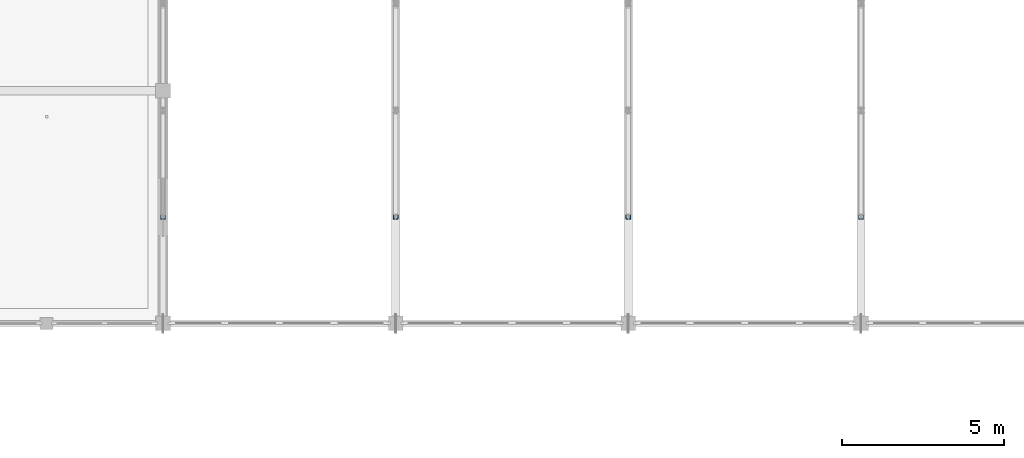
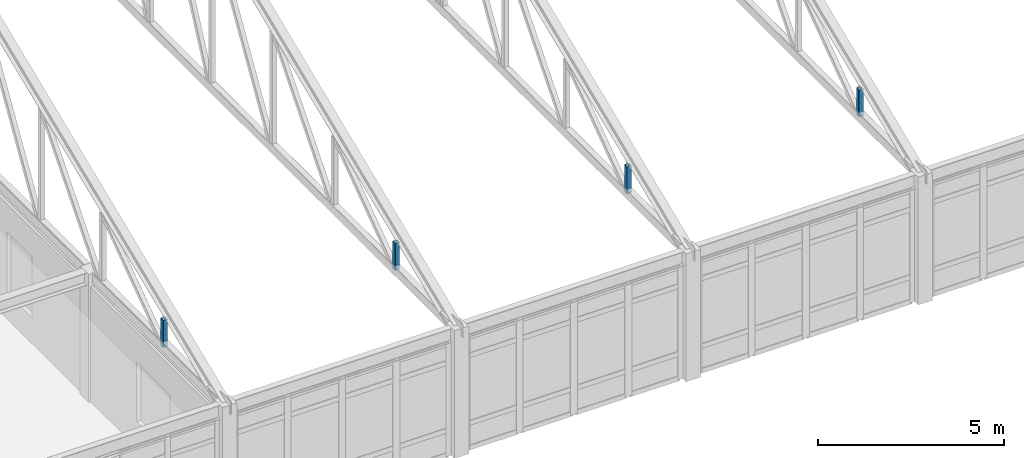
# One storey, part 68 of 136: 4 members.
"""IFC4 building model written with IfcOpenShell, lengths in metres."""

from ifc_helpers import new_model, si_unit, direction, frame, origin, origin_2d, place, context, subcontext, project, spatial, hollow_rectangle, extrude, material, material_profile, profile_set, type_object, element, save


model = new_model("IFC4")

# Units and contexts
model_context = context("Model", 3, precision=1e-05, world=origin(), true_north=direction((0.0, 1.0)))
body_context = subcontext(model_context, "Body", "Model", "MODEL_VIEW")
ifc_project = project(units=[si_unit("LENGTHUNIT", "METRE"), si_unit("AREAUNIT", "SQUARE_METRE"), si_unit("VOLUMEUNIT", "CUBIC_METRE"), si_unit("PLANEANGLEUNIT", "RADIAN"), si_unit("MASSUNIT", "GRAM", prefix="KILO")], contexts=[model_context])

# Site, building, storey
site_placement = place(None, origin())
site = spatial("IfcSite", under=ifc_project, at=site_placement, CompositionType="ELEMENT")
building_placement = place(site_placement, origin())
building = spatial("IfcBuilding", under=site, at=building_placement, Name="Koriwan Promenade Central Fire Station", CompositionType="ELEMENT")
storey_placement = place(building_placement, frame((0.0, 0.0, 5.39990234375)))
storey = spatial("IfcBuildingStorey", under=building, at=storey_placement, Name="L01", CompositionType="ELEMENT", Elevation=5.39990234375)

# Members
ifc_material = material(Name="Steel ASTM A500 Grade C", Category="steel")
ifc_material_profile = material_profile(ifc_material, hollow_rectangle(XDim=0.14990234375, YDim=0.14990234375, WallThickness=0.008056640625, InnerFilletRadius=0.008056640625, OuterFilletRadius=0.01611328125, at=origin_2d()), Name="HSS150x150x8")
ifc_profile_set = profile_set([ifc_material_profile], Name="Steel ASTM A500 Grade C")
member_type = type_object("IfcMemberType", Name="Member_STRUT_HSS150x150x8", PredefinedType="STRUT", material=ifc_profile_set)
for number, where, z_axis, x_axis, name in (
    (1, (64.800048828125, 46.5, 4.02001953125), (0.0, 0.0, 1.0), (1.0, 0.0, 0.0), "TR_V1_02 vertical 1"),
    (2, (72.0, 46.5, 4.02001953125), (0.0, 0.0, 1.0), (1.0, 0.0, 0.0), "TR_V1_03 vertical 1"),
    (3, (79.199951171875, 46.5, 4.02001953125), (0.0, 0.0, 1.0), (1.0, 0.0, 0.0), "TR_V1_04 vertical 1"),
    (4, (86.39990234375, 46.5, 4.02001953125), (0.0, 0.0, 1.0), (1.0, 0.0, 0.0), "TR_V1_05 vertical 1"),
):
    element("IfcMember", number, at=place(storey_placement, frame(where, z_axis=z_axis, x_axis=x_axis)), inside=storey, type_object=member_type, Name=name, PredefinedType="STRUT", context=body_context, shape_type="SweptSolid", body=[
        extrude(hollow_rectangle(XDim=0.14990234375, YDim=0.14990234375, WallThickness=0.008056640625, InnerFilletRadius=0.008056640625, OuterFilletRadius=0.01611328125, at=origin_2d()), origin(), (0.0, 0.0, 1.0), 0.886962890625),
    ])

save(model, "model.ifc")
